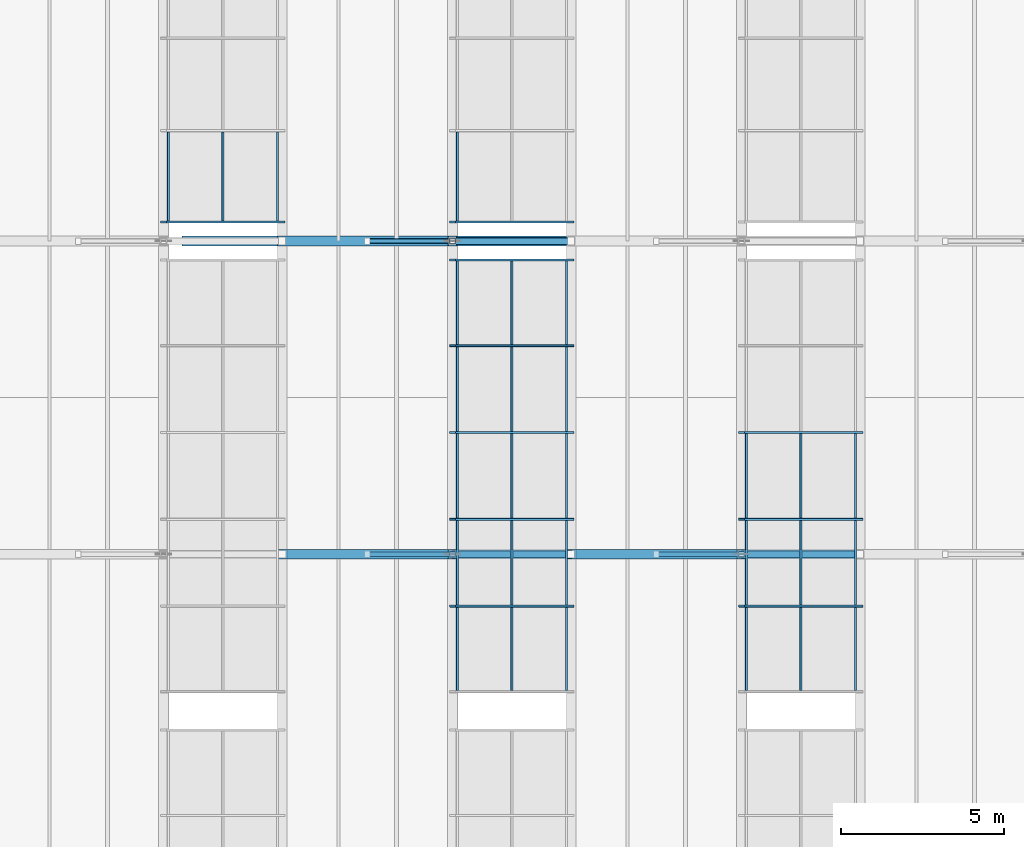
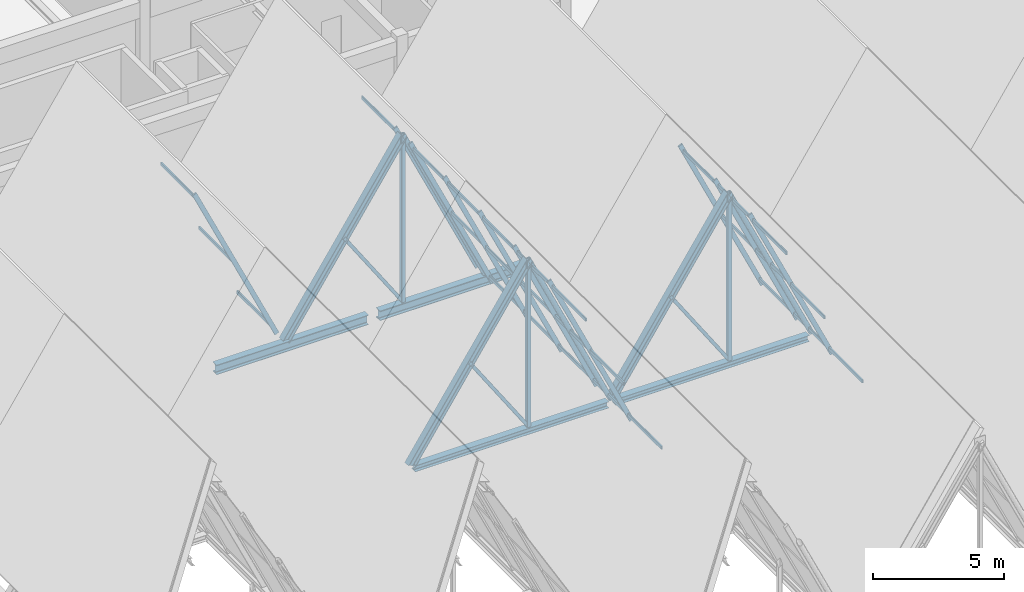
# One storey, part 48 of 99: 52 members, 2 beams, 4 elements without a shape of their own.
"""IFC4 building model written with IfcOpenShell, lengths in metres."""

from ifc_helpers import new_model, si_unit, direction, frame, origin, origin_2d, place, context, subcontext, project, spatial, hollow_rectangle, hollow_circle, i_section, extrude, material, material_profile, profile_set, type_object, element, aggregate, save


model = new_model("IFC4")

# Units and contexts
model_context = context("Model", 3, precision=1e-05, world=origin(), true_north=direction((0.0, 1.0)))
body_context = subcontext(model_context, "Body", "Model", "MODEL_VIEW")
ifc_project = project(units=[si_unit("LENGTHUNIT", "METRE"), si_unit("AREAUNIT", "SQUARE_METRE"), si_unit("VOLUMEUNIT", "CUBIC_METRE"), si_unit("PLANEANGLEUNIT", "RADIAN"), si_unit("MASSUNIT", "GRAM", prefix="KILO")], contexts=[model_context])

# Site, building, storey
site_placement = place(None, origin())
site = spatial("IfcSite", under=ifc_project, at=site_placement, CompositionType="ELEMENT")
building_placement = place(site_placement, origin())
building = spatial("IfcBuilding", under=site, at=building_placement, Name="Bramveld Media Centre", CompositionType="ELEMENT")
storey_placement = place(building_placement, frame((0.0, 0.0, 13.800048828125)))
storey = spatial("IfcBuildingStorey", under=building, at=storey_placement, Name="L03", CompositionType="ELEMENT", Elevation=13.800048828125)

# Curtain wall, member
ifc_material_1 = material(Name="Thermally broken anodized bronze aluminium unitized curtain wall with solar-control triple glazing", Category="aluminium")
curtain_wall_type_1 = type_object("IfcCurtainWallType", Name="CW-SAW-8500x8606", PredefinedType="NOTDEFINED", material=ifc_material_1)
curtain_wall_1_placement = place(storey_placement, origin())
curtain_wall_1 = element("IfcCurtainWall", 1, at=curtain_wall_1_placement, inside=storey, type_object=curtain_wall_type_1, Name="V1 sawtooth north-light clerestory B2-S3", PredefinedType="NOTDEFINED")
ifc_material_2 = material(Name="Thermally broken anodized bronze aluminium EN AW-6063 T6 curtain-wall framing", Category="aluminium")
ifc_material_profile_1 = material_profile(ifc_material_2, hollow_rectangle(XDim=0.070068359375, YDim=0.199951171875, WallThickness=0.00439453125, InnerFilletRadius=0.00439453125, OuterFilletRadius=0.009033203125, at=origin_2d()), Name="AL-MULL 70x200")
ifc_profile_set_1 = profile_set([ifc_material_profile_1], Name="Thermally broken anodized bronze aluminium EN AW-6063 T6 curtain-wall framing")
member_type_1 = type_object("IfcMemberType", Name="CW-MULL-SLP", PredefinedType="MULLION", material=ifc_profile_set_1)
member_1_placement = place(storey_placement, frame((141.71435546875, 29.385009765625, -0.02001953125), z_axis=(-0.423980334249, 0.0, 0.905671395248), x_axis=(0.0, -1.0, 0.0)))
member_1 = element("IfcMember", 2, at=member_1_placement, type_object=member_type_1, Name="CW-SA-8586 sloped mullion 1", PredefinedType="MULLION", context=body_context, shape_type="SweptSolid", body=[
    extrude(hollow_rectangle(XDim=0.070068359375, YDim=0.199951171875, WallThickness=0.00439453125, InnerFilletRadius=0.00439453125, OuterFilletRadius=0.009033203125, at=origin_2d()), origin(), (0.0, 0.0, 1.0), 8.579345703125),
])

# Curtain wall, members
ifc_material_3 = material(Name="Thermally broken anodized bronze aluminium unitized curtain wall with solar-control triple glazing", Category="aluminium")
curtain_wall_type_2 = type_object("IfcCurtainWallType", Name="CW-SAW-13300x8606", PredefinedType="NOTDEFINED", material=ifc_material_3)
curtain_wall_2_placement = place(storey_placement, origin())
curtain_wall_2 = element("IfcCurtainWall", 3, at=curtain_wall_2_placement, inside=storey, type_object=curtain_wall_type_2, Name="V1 sawtooth north-light clerestory B3-S2", PredefinedType="NOTDEFINED")
member_2_placement = place(storey_placement, frame((150.5712890625, 17.610107421875, -0.02001953125), z_axis=(-0.423956992265, 0.0, 0.90568232218), x_axis=(0.0, -1.0, 0.0)))
member_2 = element("IfcMember", 4, at=member_2_placement, type_object=member_type_1, Name="CW-SA-13386 sloped mullion 2", PredefinedType="MULLION", context=body_context, shape_type="SweptSolid", body=[
    extrude(hollow_rectangle(XDim=0.070068359375, YDim=0.199951171875, WallThickness=0.00439453125, InnerFilletRadius=0.00439453125, OuterFilletRadius=0.009033203125, at=origin_2d()), origin(), (0.0, 0.0, 1.0), 8.5791015625),
])
member_3_placement = place(storey_placement, frame((150.5712890625, 20.27001953125, -0.02001953125), z_axis=(-0.423956992265, 0.0, 0.90568232218), x_axis=(0.0, -1.0, 0.0)))
member_3 = element("IfcMember", 5, at=member_3_placement, type_object=member_type_1, Name="CW-SA-13386 sloped mullion 3", PredefinedType="MULLION", context=body_context, shape_type="SweptSolid", body=[
    extrude(hollow_rectangle(XDim=0.070068359375, YDim=0.199951171875, WallThickness=0.00439453125, InnerFilletRadius=0.00439453125, OuterFilletRadius=0.009033203125, at=origin_2d()), origin(), (0.0, 0.0, 1.0), 8.5791015625),
])
member_4_placement = place(storey_placement, frame((150.5712890625, 22.929931640625, -0.02001953125), z_axis=(-0.423956992265, 0.0, 0.90568232218), x_axis=(0.0, -1.0, 0.0)))
member_4 = element("IfcMember", 6, at=member_4_placement, type_object=member_type_1, Name="CW-SA-13386 sloped mullion 4", PredefinedType="MULLION", context=body_context, shape_type="SweptSolid", body=[
    extrude(hollow_rectangle(XDim=0.070068359375, YDim=0.199951171875, WallThickness=0.00439453125, InnerFilletRadius=0.00439453125, OuterFilletRadius=0.009033203125, at=origin_2d()), origin(), (0.0, 0.0, 1.0), 8.5791015625),
])
member_5_placement = place(storey_placement, frame((150.5712890625, 25.590087890625, -0.02001953125), z_axis=(-0.423956992265, 0.0, 0.90568232218), x_axis=(0.0, -1.0, 0.0)))
member_5 = element("IfcMember", 7, at=member_5_placement, type_object=member_type_1, Name="CW-SA-13386 sloped mullion 5", PredefinedType="MULLION", context=body_context, shape_type="SweptSolid", body=[
    extrude(hollow_rectangle(XDim=0.070068359375, YDim=0.199951171875, WallThickness=0.00439453125, InnerFilletRadius=0.00439453125, OuterFilletRadius=0.009033203125, at=origin_2d()), origin(), (0.0, 0.0, 1.0), 8.5791015625),
])
member_6_placement = place(storey_placement, frame((150.5712890625, 28.215087890625, -0.02001953125), z_axis=(-0.423956992265, 0.0, 0.90568232218), x_axis=(0.0, -1.0, 0.0)))
member_6 = element("IfcMember", 8, at=member_6_placement, type_object=member_type_1, Name="CW-SA-13386 sloped mullion 6", PredefinedType="MULLION", context=body_context, shape_type="SweptSolid", body=[
    extrude(hollow_rectangle(XDim=0.070068359375, YDim=0.199951171875, WallThickness=0.00439453125, InnerFilletRadius=0.00439453125, OuterFilletRadius=0.009033203125, at=origin_2d()), origin(), (0.0, 0.0, 1.0), 8.5791015625),
])

# Curtain wall, member
curtain_wall_3_placement = place(storey_placement, origin())
curtain_wall_3 = element("IfcCurtainWall", 9, at=curtain_wall_3_placement, inside=storey, type_object=curtain_wall_type_1, Name="V1 sawtooth north-light clerestory B3-S3", PredefinedType="NOTDEFINED")
member_7_placement = place(storey_placement, frame((150.5712890625, 29.385009765625, -0.02001953125), z_axis=(-0.423956992265, 0.0, 0.90568232218), x_axis=(0.0, -1.0, 0.0)))
member_7 = element("IfcMember", 10, at=member_7_placement, type_object=member_type_1, Name="CW-SA-8586 sloped mullion 1", PredefinedType="MULLION", context=body_context, shape_type="SweptSolid", body=[
    extrude(hollow_rectangle(XDim=0.070068359375, YDim=0.199951171875, WallThickness=0.00439453125, InnerFilletRadius=0.00439453125, OuterFilletRadius=0.009033203125, at=origin_2d()), origin(), (0.0, 0.0, 1.0), 8.5791015625),
])

# Curtain wall, members
curtain_wall_4_placement = place(storey_placement, origin())
curtain_wall_4 = element("IfcCurtainWall", 11, at=curtain_wall_4_placement, inside=storey, type_object=curtain_wall_type_2, Name="V1 sawtooth north-light clerestory B4-S2", PredefinedType="NOTDEFINED")
member_8_placement = place(storey_placement, frame((159.4287109375, 17.610107421875, -0.02001953125), z_axis=(-0.423980334249, 0.0, 0.905671395248), x_axis=(0.0, -1.0, 0.0)))
member_8 = element("IfcMember", 12, at=member_8_placement, type_object=member_type_1, Name="CW-SA-13386 sloped mullion 2", PredefinedType="MULLION", context=body_context, shape_type="SweptSolid", body=[
    extrude(hollow_rectangle(XDim=0.070068359375, YDim=0.199951171875, WallThickness=0.00439453125, InnerFilletRadius=0.00439453125, OuterFilletRadius=0.009033203125, at=origin_2d()), origin(), (0.0, 0.0, 1.0), 8.579345703125),
])
member_9_placement = place(storey_placement, frame((159.4287109375, 20.27001953125, -0.02001953125), z_axis=(-0.423980334249, 0.0, 0.905671395248), x_axis=(0.0, -1.0, 0.0)))
member_9 = element("IfcMember", 13, at=member_9_placement, type_object=member_type_1, Name="CW-SA-13386 sloped mullion 3", PredefinedType="MULLION", context=body_context, shape_type="SweptSolid", body=[
    extrude(hollow_rectangle(XDim=0.070068359375, YDim=0.199951171875, WallThickness=0.00439453125, InnerFilletRadius=0.00439453125, OuterFilletRadius=0.009033203125, at=origin_2d()), origin(), (0.0, 0.0, 1.0), 8.579345703125),
])
member_10_placement = place(storey_placement, frame((159.4287109375, 22.929931640625, -0.02001953125), z_axis=(-0.423980334249, 0.0, 0.905671395248), x_axis=(0.0, -1.0, 0.0)))
member_10 = element("IfcMember", 14, at=member_10_placement, type_object=member_type_1, Name="CW-SA-13386 sloped mullion 4", PredefinedType="MULLION", context=body_context, shape_type="SweptSolid", body=[
    extrude(hollow_rectangle(XDim=0.070068359375, YDim=0.199951171875, WallThickness=0.00439453125, InnerFilletRadius=0.00439453125, OuterFilletRadius=0.009033203125, at=origin_2d()), origin(), (0.0, 0.0, 1.0), 8.579345703125),
])

# Member
ifc_material_4 = material(Name="Thermally broken anodized bronze aluminium EN AW-6063 T6 curtain-wall framing", Category="aluminium")
ifc_material_profile_2 = material_profile(ifc_material_4, hollow_rectangle(XDim=0.070068359375, YDim=0.14990234375, WallThickness=0.00390625, InnerFilletRadius=0.00390625, OuterFilletRadius=0.008056640625, at=origin_2d()), Name="AL-TRAN 70x150")
ifc_profile_set_2 = profile_set([ifc_material_profile_2], Name="Thermally broken anodized bronze aluminium EN AW-6063 T6 curtain-wall framing")
member_type_2 = type_object("IfcMemberType", Name="CW-TRAN-SLP", PredefinedType="USERDEFINED", material=ifc_profile_set_2)
member_11_placement = place(storey_placement, frame((141.56884765625, 29.419921875, 0.290771484375), z_axis=(0.0, 1.0, 0.0), x_axis=(-1.0, 0.0, 0.0)))
member_11 = element("IfcMember", 15, at=member_11_placement, type_object=member_type_2, Name="CW-SA-8586 transom 1.1", ObjectType="TRANSOM", PredefinedType="USERDEFINED", context=body_context, shape_type="SweptSolid", body=[
    extrude(hollow_rectangle(XDim=0.070068359375, YDim=0.14990234375, WallThickness=0.00390625, InnerFilletRadius=0.00390625, OuterFilletRadius=0.008056640625, at=origin_2d()), origin(), (0.0, 0.0, 1.0), 2.728271484375),
])

member_12_placement = place(storey_placement, frame((139.8955078125, 29.419921875, 3.864990234375), z_axis=(0.0, 1.0, 0.0), x_axis=(-1.0, 0.0, 0.0)))
member_12 = element("IfcMember", 16, at=member_12_placement, type_object=member_type_2, Name="CW-SA-8586 transom 1.2", ObjectType="TRANSOM", PredefinedType="USERDEFINED", context=body_context, shape_type="SweptSolid", body=[
    extrude(hollow_rectangle(XDim=0.070068359375, YDim=0.14990234375, WallThickness=0.00390625, InnerFilletRadius=0.00390625, OuterFilletRadius=0.008056640625, at=origin_2d()), origin(), (0.0, 0.0, 1.0), 2.728271484375),
])

member_13_placement = place(storey_placement, frame((138.222412109375, 29.419921875, 7.439208984375), z_axis=(0.0, 1.0, 0.0), x_axis=(-1.0, 0.0, 0.0)))
member_13 = element("IfcMember", 17, at=member_13_placement, type_object=member_type_2, Name="CW-SA-8586 transom 1.3", ObjectType="TRANSOM", PredefinedType="USERDEFINED", context=body_context, shape_type="SweptSolid", body=[
    extrude(hollow_rectangle(XDim=0.070068359375, YDim=0.14990234375, WallThickness=0.00390625, InnerFilletRadius=0.00390625, OuterFilletRadius=0.008056640625, at=origin_2d()), origin(), (0.0, 0.0, 1.0), 2.728271484375),
])

aggregate(curtain_wall_1, [member_1, member_11, member_12, member_13])

member_14_placement = place(storey_placement, frame((150.42578125, 15.02001953125, 0.290771484375), z_axis=(0.0, 1.0, 0.0), x_axis=(-1.0, 0.0, 0.0)))
member_14 = element("IfcMember", 18, at=member_14_placement, type_object=member_type_2, Name="CW-SA-13386 transom 1.1", ObjectType="TRANSOM", PredefinedType="USERDEFINED", context=body_context, shape_type="SweptSolid", body=[
    extrude(hollow_rectangle(XDim=0.070068359375, YDim=0.14990234375, WallThickness=0.00390625, InnerFilletRadius=0.00390625, OuterFilletRadius=0.008056640625, at=origin_2d()), origin(), (0.0, 0.0, 1.0), 2.554931640625),
])

member_15_placement = place(storey_placement, frame((148.752685546875, 15.02001953125, 3.864990234375), z_axis=(0.0, 1.0, 0.0), x_axis=(-1.0, 0.0, 0.0)))
member_15 = element("IfcMember", 19, at=member_15_placement, type_object=member_type_2, Name="CW-SA-13386 transom 1.2", ObjectType="TRANSOM", PredefinedType="USERDEFINED", context=body_context, shape_type="SweptSolid", body=[
    extrude(hollow_rectangle(XDim=0.070068359375, YDim=0.14990234375, WallThickness=0.00390625, InnerFilletRadius=0.00390625, OuterFilletRadius=0.008056640625, at=origin_2d()), origin(), (0.0, 0.0, 1.0), 2.554931640625),
])

member_16_placement = place(storey_placement, frame((147.07958984375, 15.02001953125, 7.439208984375), z_axis=(0.0, 1.0, 0.0), x_axis=(-1.0, 0.0, 0.0)))
member_16 = element("IfcMember", 20, at=member_16_placement, type_object=member_type_2, Name="CW-SA-13386 transom 1.3", ObjectType="TRANSOM", PredefinedType="USERDEFINED", context=body_context, shape_type="SweptSolid", body=[
    extrude(hollow_rectangle(XDim=0.070068359375, YDim=0.14990234375, WallThickness=0.00390625, InnerFilletRadius=0.00390625, OuterFilletRadius=0.008056640625, at=origin_2d()), origin(), (0.0, 0.0, 1.0), 2.554931640625),
])

member_17_placement = place(storey_placement, frame((150.42578125, 17.64501953125, 0.290771484375), z_axis=(0.0, 1.0, 0.0), x_axis=(-1.0, 0.0, 0.0)))
member_17 = element("IfcMember", 21, at=member_17_placement, type_object=member_type_2, Name="CW-SA-13386 transom 2.1", ObjectType="TRANSOM", PredefinedType="USERDEFINED", context=body_context, shape_type="SweptSolid", body=[
    extrude(hollow_rectangle(XDim=0.070068359375, YDim=0.14990234375, WallThickness=0.00390625, InnerFilletRadius=0.00390625, OuterFilletRadius=0.008056640625, at=origin_2d()), origin(), (0.0, 0.0, 1.0), 2.590087890625),
])

member_18_placement = place(storey_placement, frame((148.752685546875, 17.64501953125, 3.864990234375), z_axis=(0.0, 1.0, 0.0), x_axis=(-1.0, 0.0, 0.0)))
member_18 = element("IfcMember", 22, at=member_18_placement, type_object=member_type_2, Name="CW-SA-13386 transom 2.2", ObjectType="TRANSOM", PredefinedType="USERDEFINED", context=body_context, shape_type="SweptSolid", body=[
    extrude(hollow_rectangle(XDim=0.070068359375, YDim=0.14990234375, WallThickness=0.00390625, InnerFilletRadius=0.00390625, OuterFilletRadius=0.008056640625, at=origin_2d()), origin(), (0.0, 0.0, 1.0), 2.590087890625),
])

member_19_placement = place(storey_placement, frame((147.07958984375, 17.64501953125, 7.439208984375), z_axis=(0.0, 1.0, 0.0), x_axis=(-1.0, 0.0, 0.0)))
member_19 = element("IfcMember", 23, at=member_19_placement, type_object=member_type_2, Name="CW-SA-13386 transom 2.3", ObjectType="TRANSOM", PredefinedType="USERDEFINED", context=body_context, shape_type="SweptSolid", body=[
    extrude(hollow_rectangle(XDim=0.070068359375, YDim=0.14990234375, WallThickness=0.00390625, InnerFilletRadius=0.00390625, OuterFilletRadius=0.008056640625, at=origin_2d()), origin(), (0.0, 0.0, 1.0), 2.590087890625),
])

member_20_placement = place(storey_placement, frame((150.42578125, 20.304931640625, 0.290771484375), z_axis=(0.0, 1.0, 0.0), x_axis=(-1.0, 0.0, 0.0)))
member_20 = element("IfcMember", 24, at=member_20_placement, type_object=member_type_2, Name="CW-SA-13386 transom 3.1", ObjectType="TRANSOM", PredefinedType="USERDEFINED", context=body_context, shape_type="SweptSolid", body=[
    extrude(hollow_rectangle(XDim=0.070068359375, YDim=0.14990234375, WallThickness=0.00390625, InnerFilletRadius=0.00390625, OuterFilletRadius=0.008056640625, at=origin_2d()), origin(), (0.0, 0.0, 1.0), 2.590087890625),
])

member_21_placement = place(storey_placement, frame((148.752685546875, 20.304931640625, 3.864990234375), z_axis=(0.0, 1.0, 0.0), x_axis=(-1.0, 0.0, 0.0)))
member_21 = element("IfcMember", 25, at=member_21_placement, type_object=member_type_2, Name="CW-SA-13386 transom 3.2", ObjectType="TRANSOM", PredefinedType="USERDEFINED", context=body_context, shape_type="SweptSolid", body=[
    extrude(hollow_rectangle(XDim=0.070068359375, YDim=0.14990234375, WallThickness=0.00390625, InnerFilletRadius=0.00390625, OuterFilletRadius=0.008056640625, at=origin_2d()), origin(), (0.0, 0.0, 1.0), 2.590087890625),
])

member_22_placement = place(storey_placement, frame((147.07958984375, 20.304931640625, 7.439208984375), z_axis=(0.0, 1.0, 0.0), x_axis=(-1.0, 0.0, 0.0)))
member_22 = element("IfcMember", 26, at=member_22_placement, type_object=member_type_2, Name="CW-SA-13386 transom 3.3", ObjectType="TRANSOM", PredefinedType="USERDEFINED", context=body_context, shape_type="SweptSolid", body=[
    extrude(hollow_rectangle(XDim=0.070068359375, YDim=0.14990234375, WallThickness=0.00390625, InnerFilletRadius=0.00390625, OuterFilletRadius=0.008056640625, at=origin_2d()), origin(), (0.0, 0.0, 1.0), 2.590087890625),
])

member_23_placement = place(storey_placement, frame((150.42578125, 22.965087890625, 0.290771484375), z_axis=(0.0, 1.0, 0.0), x_axis=(-1.0, 0.0, 0.0)))
member_23 = element("IfcMember", 27, at=member_23_placement, type_object=member_type_2, Name="CW-SA-13386 transom 4.1", ObjectType="TRANSOM", PredefinedType="USERDEFINED", context=body_context, shape_type="SweptSolid", body=[
    extrude(hollow_rectangle(XDim=0.070068359375, YDim=0.14990234375, WallThickness=0.00390625, InnerFilletRadius=0.00390625, OuterFilletRadius=0.008056640625, at=origin_2d()), origin(), (0.0, 0.0, 1.0), 2.58984375),
])

member_24_placement = place(storey_placement, frame((148.752685546875, 22.965087890625, 3.864990234375), z_axis=(0.0, 1.0, 0.0), x_axis=(-1.0, 0.0, 0.0)))
member_24 = element("IfcMember", 28, at=member_24_placement, type_object=member_type_2, Name="CW-SA-13386 transom 4.2", ObjectType="TRANSOM", PredefinedType="USERDEFINED", context=body_context, shape_type="SweptSolid", body=[
    extrude(hollow_rectangle(XDim=0.070068359375, YDim=0.14990234375, WallThickness=0.00390625, InnerFilletRadius=0.00390625, OuterFilletRadius=0.008056640625, at=origin_2d()), origin(), (0.0, 0.0, 1.0), 2.58984375),
])

member_25_placement = place(storey_placement, frame((147.07958984375, 22.965087890625, 7.439208984375), z_axis=(0.0, 1.0, 0.0), x_axis=(-1.0, 0.0, 0.0)))
member_25 = element("IfcMember", 29, at=member_25_placement, type_object=member_type_2, Name="CW-SA-13386 transom 4.3", ObjectType="TRANSOM", PredefinedType="USERDEFINED", context=body_context, shape_type="SweptSolid", body=[
    extrude(hollow_rectangle(XDim=0.070068359375, YDim=0.14990234375, WallThickness=0.00390625, InnerFilletRadius=0.00390625, OuterFilletRadius=0.008056640625, at=origin_2d()), origin(), (0.0, 0.0, 1.0), 2.58984375),
])

member_26_placement = place(storey_placement, frame((150.42578125, 25.625, 0.290771484375), z_axis=(0.0, 1.0, 0.0), x_axis=(-1.0, 0.0, 0.0)))
member_26 = element("IfcMember", 30, at=member_26_placement, type_object=member_type_2, Name="CW-SA-13386 transom 5.1", ObjectType="TRANSOM", PredefinedType="USERDEFINED", context=body_context, shape_type="SweptSolid", body=[
    extrude(hollow_rectangle(XDim=0.070068359375, YDim=0.14990234375, WallThickness=0.00390625, InnerFilletRadius=0.00390625, OuterFilletRadius=0.008056640625, at=origin_2d()), origin(), (0.0, 0.0, 1.0), 2.554931640625),
])

member_27_placement = place(storey_placement, frame((148.752685546875, 25.625, 3.864990234375), z_axis=(0.0, 1.0, 0.0), x_axis=(-1.0, 0.0, 0.0)))
member_27 = element("IfcMember", 31, at=member_27_placement, type_object=member_type_2, Name="CW-SA-13386 transom 5.2", ObjectType="TRANSOM", PredefinedType="USERDEFINED", context=body_context, shape_type="SweptSolid", body=[
    extrude(hollow_rectangle(XDim=0.070068359375, YDim=0.14990234375, WallThickness=0.00390625, InnerFilletRadius=0.00390625, OuterFilletRadius=0.008056640625, at=origin_2d()), origin(), (0.0, 0.0, 1.0), 2.554931640625),
])

member_28_placement = place(storey_placement, frame((147.07958984375, 25.625, 7.439208984375), z_axis=(0.0, 1.0, 0.0), x_axis=(-1.0, 0.0, 0.0)))
member_28 = element("IfcMember", 32, at=member_28_placement, type_object=member_type_2, Name="CW-SA-13386 transom 5.3", ObjectType="TRANSOM", PredefinedType="USERDEFINED", context=body_context, shape_type="SweptSolid", body=[
    extrude(hollow_rectangle(XDim=0.070068359375, YDim=0.14990234375, WallThickness=0.00390625, InnerFilletRadius=0.00390625, OuterFilletRadius=0.008056640625, at=origin_2d()), origin(), (0.0, 0.0, 1.0), 2.554931640625),
])

aggregate(curtain_wall_2, [member_2, member_3, member_4, member_5, member_6, member_14, member_15, member_16, member_17, member_18, member_19, member_20, member_21, member_22, member_23, member_24, member_25, member_26, member_27, member_28])

member_29_placement = place(storey_placement, frame((147.07958984375, 29.419921875, 7.439208984375), z_axis=(0.0, 1.0, 0.0), x_axis=(-1.0, 0.0, 0.0)))
member_29 = element("IfcMember", 33, at=member_29_placement, type_object=member_type_2, Name="CW-SA-8586 transom 1.3", ObjectType="TRANSOM", PredefinedType="USERDEFINED", context=body_context, shape_type="SweptSolid", body=[
    extrude(hollow_rectangle(XDim=0.070068359375, YDim=0.14990234375, WallThickness=0.00390625, InnerFilletRadius=0.00390625, OuterFilletRadius=0.008056640625, at=origin_2d()), origin(), (0.0, 0.0, 1.0), 2.728271484375),
])

aggregate(curtain_wall_3, [member_7, member_29])

member_30_placement = place(storey_placement, frame((159.283203125, 15.02001953125, 0.290771484375), z_axis=(0.0, 1.0, 0.0), x_axis=(-1.0, 0.0, 0.0)))
member_30 = element("IfcMember", 34, at=member_30_placement, type_object=member_type_2, Name="CW-SA-13386 transom 1.1", ObjectType="TRANSOM", PredefinedType="USERDEFINED", context=body_context, shape_type="SweptSolid", body=[
    extrude(hollow_rectangle(XDim=0.070068359375, YDim=0.14990234375, WallThickness=0.00390625, InnerFilletRadius=0.00390625, OuterFilletRadius=0.008056640625, at=origin_2d()), origin(), (0.0, 0.0, 1.0), 2.554931640625),
])

member_31_placement = place(storey_placement, frame((157.60986328125, 15.02001953125, 3.864990234375), z_axis=(0.0, 1.0, 0.0), x_axis=(-1.0, 0.0, 0.0)))
member_31 = element("IfcMember", 35, at=member_31_placement, type_object=member_type_2, Name="CW-SA-13386 transom 1.2", ObjectType="TRANSOM", PredefinedType="USERDEFINED", context=body_context, shape_type="SweptSolid", body=[
    extrude(hollow_rectangle(XDim=0.070068359375, YDim=0.14990234375, WallThickness=0.00390625, InnerFilletRadius=0.00390625, OuterFilletRadius=0.008056640625, at=origin_2d()), origin(), (0.0, 0.0, 1.0), 2.554931640625),
])

member_32_placement = place(storey_placement, frame((155.936767578125, 15.02001953125, 7.439208984375), z_axis=(0.0, 1.0, 0.0), x_axis=(-1.0, 0.0, 0.0)))
member_32 = element("IfcMember", 36, at=member_32_placement, type_object=member_type_2, Name="CW-SA-13386 transom 1.3", ObjectType="TRANSOM", PredefinedType="USERDEFINED", context=body_context, shape_type="SweptSolid", body=[
    extrude(hollow_rectangle(XDim=0.070068359375, YDim=0.14990234375, WallThickness=0.00390625, InnerFilletRadius=0.00390625, OuterFilletRadius=0.008056640625, at=origin_2d()), origin(), (0.0, 0.0, 1.0), 2.554931640625),
])

member_33_placement = place(storey_placement, frame((159.283203125, 17.64501953125, 0.290771484375), z_axis=(0.0, 1.0, 0.0), x_axis=(-1.0, 0.0, 0.0)))
member_33 = element("IfcMember", 37, at=member_33_placement, type_object=member_type_2, Name="CW-SA-13386 transom 2.1", ObjectType="TRANSOM", PredefinedType="USERDEFINED", context=body_context, shape_type="SweptSolid", body=[
    extrude(hollow_rectangle(XDim=0.070068359375, YDim=0.14990234375, WallThickness=0.00390625, InnerFilletRadius=0.00390625, OuterFilletRadius=0.008056640625, at=origin_2d()), origin(), (0.0, 0.0, 1.0), 2.590087890625),
])

member_34_placement = place(storey_placement, frame((157.60986328125, 17.64501953125, 3.864990234375), z_axis=(0.0, 1.0, 0.0), x_axis=(-1.0, 0.0, 0.0)))
member_34 = element("IfcMember", 38, at=member_34_placement, type_object=member_type_2, Name="CW-SA-13386 transom 2.2", ObjectType="TRANSOM", PredefinedType="USERDEFINED", context=body_context, shape_type="SweptSolid", body=[
    extrude(hollow_rectangle(XDim=0.070068359375, YDim=0.14990234375, WallThickness=0.00390625, InnerFilletRadius=0.00390625, OuterFilletRadius=0.008056640625, at=origin_2d()), origin(), (0.0, 0.0, 1.0), 2.590087890625),
])

member_35_placement = place(storey_placement, frame((155.936767578125, 17.64501953125, 7.439208984375), z_axis=(0.0, 1.0, 0.0), x_axis=(-1.0, 0.0, 0.0)))
member_35 = element("IfcMember", 39, at=member_35_placement, type_object=member_type_2, Name="CW-SA-13386 transom 2.3", ObjectType="TRANSOM", PredefinedType="USERDEFINED", context=body_context, shape_type="SweptSolid", body=[
    extrude(hollow_rectangle(XDim=0.070068359375, YDim=0.14990234375, WallThickness=0.00390625, InnerFilletRadius=0.00390625, OuterFilletRadius=0.008056640625, at=origin_2d()), origin(), (0.0, 0.0, 1.0), 2.590087890625),
])

member_36_placement = place(storey_placement, frame((159.283203125, 20.304931640625, 0.290771484375), z_axis=(0.0, 1.0, 0.0), x_axis=(-1.0, 0.0, 0.0)))
member_36 = element("IfcMember", 40, at=member_36_placement, type_object=member_type_2, Name="CW-SA-13386 transom 3.1", ObjectType="TRANSOM", PredefinedType="USERDEFINED", context=body_context, shape_type="SweptSolid", body=[
    extrude(hollow_rectangle(XDim=0.070068359375, YDim=0.14990234375, WallThickness=0.00390625, InnerFilletRadius=0.00390625, OuterFilletRadius=0.008056640625, at=origin_2d()), origin(), (0.0, 0.0, 1.0), 2.590087890625),
])

member_37_placement = place(storey_placement, frame((157.60986328125, 20.304931640625, 3.864990234375), z_axis=(0.0, 1.0, 0.0), x_axis=(-1.0, 0.0, 0.0)))
member_37 = element("IfcMember", 41, at=member_37_placement, type_object=member_type_2, Name="CW-SA-13386 transom 3.2", ObjectType="TRANSOM", PredefinedType="USERDEFINED", context=body_context, shape_type="SweptSolid", body=[
    extrude(hollow_rectangle(XDim=0.070068359375, YDim=0.14990234375, WallThickness=0.00390625, InnerFilletRadius=0.00390625, OuterFilletRadius=0.008056640625, at=origin_2d()), origin(), (0.0, 0.0, 1.0), 2.590087890625),
])

member_38_placement = place(storey_placement, frame((155.936767578125, 20.304931640625, 7.439208984375), z_axis=(0.0, 1.0, 0.0), x_axis=(-1.0, 0.0, 0.0)))
member_38 = element("IfcMember", 42, at=member_38_placement, type_object=member_type_2, Name="CW-SA-13386 transom 3.3", ObjectType="TRANSOM", PredefinedType="USERDEFINED", context=body_context, shape_type="SweptSolid", body=[
    extrude(hollow_rectangle(XDim=0.070068359375, YDim=0.14990234375, WallThickness=0.00390625, InnerFilletRadius=0.00390625, OuterFilletRadius=0.008056640625, at=origin_2d()), origin(), (0.0, 0.0, 1.0), 2.590087890625),
])

aggregate(curtain_wall_4, [member_8, member_9, member_10, member_30, member_31, member_32, member_33, member_34, member_35, member_36, member_37, member_38])

# Members
ifc_material_5 = material(Name="Steel S355J2H", Category="steel")
ifc_material_profile_3 = material_profile(ifc_material_5, hollow_circle(Radius=0.109619140625, WallThickness=0.012451171875, at=origin_2d()), Name="CHS 219.1x12.5")
ifc_profile_set_3 = profile_set([ifc_material_profile_3], Name="Steel S355J2H")
member_type_3 = type_object("IfcMemberType", Name="MEM-BRACE-CHS219", PredefinedType="BRACE", material=ifc_profile_set_3)
for number, where, z_axis, x_axis, name in (
    (43, (150.5712890625, 19.199951171875, 0.0), (-0.422616785161, 0.0, 0.906308475575), (0.0, -1.0, 0.0), "TRUSS-V1-B03-F3 north-light strut"),
    (44, (150.5712890625, 28.800048828125, 0.0), (-0.422616785161, 0.0, 0.906308475575), (0.0, -1.0, 0.0), "TRUSS-V1-B03-F4 north-light strut"),
    (45, (159.4287109375, 19.199951171875, 0.0), (-0.422640085544, 0.0, 0.90629761011), (0.0, -1.0, 0.0), "TRUSS-V1-B04-F3 north-light strut"),
):
    element("IfcMember", number, at=place(storey_placement, frame(where, z_axis=z_axis, x_axis=x_axis)), inside=storey, type_object=member_type_3, Name=name, PredefinedType="BRACE", context=body_context, shape_type="SweptSolid", body=[
        extrude(hollow_circle(Radius=0.109619140625, WallThickness=0.012451171875, at=origin_2d()), origin(), (0.0, 0.0, 1.0), 8.6064453125),
    ])
ifc_material_6 = material(Name="Steel S355J2H", Category="steel")
ifc_material_profile_4 = material_profile(ifc_material_6, hollow_rectangle(XDim=0.14990234375, YDim=0.14990234375, WallThickness=0.010009765625, InnerFilletRadius=0.010009765625, OuterFilletRadius=0.02001953125, at=origin_2d()), Name="SHS 150x150x10")
ifc_profile_set_4 = profile_set([ifc_material_profile_4], Name="Steel S355J2H")
member_type_4 = type_object("IfcMemberType", Name="MEM-BRACE-SHS150", PredefinedType="BRACE", material=ifc_profile_set_4)
for number, where, z_axis, x_axis, name in (
    (46, (146.93408203125, 19.199951171875, 0.0), (-0.55616408489, 0.0, 0.83107250627), (0.0, -1.0, 0.0), "TRUSS-V1-B03-F3 web diagonal"),
    (47, (146.93408203125, 28.800048828125, 0.0), (-0.55616408489, 0.0, 0.83107250627), (0.0, -1.0, 0.0), "TRUSS-V1-B03-F4 web diagonal"),
    (48, (155.791259765625, 19.199951171875, 0.0), (-0.55616408489, 0.0, 0.83107250627), (0.0, -1.0, 0.0), "TRUSS-V1-B04-F3 web diagonal"),
):
    element("IfcMember", number, at=place(storey_placement, frame(where, z_axis=z_axis, x_axis=x_axis)), inside=storey, type_object=member_type_4, Name=name, PredefinedType="BRACE", context=body_context, shape_type="SweptSolid", body=[
        extrude(hollow_rectangle(XDim=0.14990234375, YDim=0.14990234375, WallThickness=0.010009765625, InnerFilletRadius=0.010009765625, OuterFilletRadius=0.02001953125, at=origin_2d()), origin(), (0.0, 0.0, 1.0), 4.692626953125),
    ])
ifc_material_7 = material(Name="Steel S355J2", Category="steel")
ifc_material_profile_5 = material_profile(ifc_material_7, i_section(OverallWidth=0.300048828125, OverallDepth=0.2900390625, WebThickness=0.008544921875, FlangeThickness=0.013916015625, FilletRadius=0.027099609375, at=origin_2d()), Name="HEA 300")
ifc_profile_set_5 = profile_set([ifc_material_profile_5], Name="Steel S355J2")
member_type_5 = type_object("IfcMemberType", Name="MEM-CHORD-HEA300", PredefinedType="CHORD", material=ifc_profile_set_5)
for number, where, z_axis, x_axis, name in (
    (49, (141.874267578125, 19.199951171875, -0.14501953125), (1.0, 0.0, 0.0), (0.0, 1.0, 0.0), "TRUSS-V1-B03-F3 bottom tie chord"),
    (50, (150.7314453125, 19.199951171875, -0.14501953125), (1.0, 0.0, 0.0), (0.0, 1.0, 0.0), "TRUSS-V1-B04-F3 bottom tie chord"),
):
    element("IfcMember", number, at=place(storey_placement, frame(where, z_axis=z_axis, x_axis=x_axis)), inside=storey, type_object=member_type_5, Name=name, PredefinedType="CHORD", context=body_context, shape_type="SweptSolid", body=[
        extrude(i_section(OverallWidth=0.300048828125, OverallDepth=0.2900390625, WebThickness=0.008544921875, FlangeThickness=0.013916015625, FilletRadius=0.027099609375, at=origin_2d()), origin(), (0.0, 0.0, 1.0), 8.537109375),
    ])
ifc_material_8 = material(Name="Steel S355J2", Category="steel")
ifc_material_profile_6 = material_profile(ifc_material_8, i_section(OverallWidth=0.300048828125, OverallDepth=0.340087890625, WebThickness=0.011962890625, FlangeThickness=0.021484375, FilletRadius=0.027099609375, at=origin_2d()), Name="HEB 340")
ifc_profile_set_6 = profile_set([ifc_material_profile_6], Name="Steel S355J2")
member_type_6 = type_object("IfcMemberType", Name="MEM-CHORD-HEB340", PredefinedType="CHORD", material=ifc_profile_set_6)
for number, where, z_axis, x_axis, name in (
    (51, (141.71435546875, 19.199951171875, 0.0), (0.55615206142, 0.0, 0.8310805524), (0.0, 1.0, 0.0), "TRUSS-V1-B03-F3 top rafter chord"),
    (52, (141.71435546875, 28.800048828125, 0.0), (0.55615206142, 0.0, 0.8310805524), (0.0, 1.0, 0.0), "TRUSS-V1-B03-F4 top rafter chord"),
    (53, (150.5712890625, 19.199951171875, 0.0), (0.556170027887, 0.0, 0.831068529112), (0.0, 1.0, 0.0), "TRUSS-V1-B04-F3 top rafter chord"),
):
    element("IfcMember", number, at=place(storey_placement, frame(where, z_axis=z_axis, x_axis=x_axis)), inside=storey, type_object=member_type_6, Name=name, PredefinedType="CHORD", context=body_context, shape_type="SweptSolid", body=[
        extrude(i_section(OverallWidth=0.300048828125, OverallDepth=0.340087890625, WebThickness=0.011962890625, FlangeThickness=0.021484375, FilletRadius=0.027099609375, at=origin_2d()), origin(), (0.0, 0.0, 1.0), 9.385498046875),
    ])
ifc_material_9 = material(Name="Steel S355J2H", Category="steel")
ifc_material_profile_7 = material_profile(ifc_material_9, hollow_rectangle(XDim=0.179931640625, YDim=0.179931640625, WallThickness=0.010009765625, InnerFilletRadius=0.010009765625, OuterFilletRadius=0.02001953125, at=origin_2d()), Name="SHS 180x180x10")
ifc_profile_set_7 = profile_set([ifc_material_profile_7], Name="Steel S355J2H")
member_type_7 = type_object("IfcMemberType", Name="MEM-POST-SHS180", PredefinedType="POST", material=ifc_profile_set_7)
for number, where, z_axis, x_axis, name in (
    (54, (146.93408203125, 19.199951171875, 0.0), (0.0, 0.0, 1.0), (1.0, 0.0, 0.0), "TRUSS-V1-B03-F3 kingpost"),
    (55, (146.93408203125, 28.800048828125, 0.0), (0.0, 0.0, 1.0), (1.0, 0.0, 0.0), "TRUSS-V1-B03-F4 kingpost"),
    (56, (155.791259765625, 19.199951171875, 0.0), (0.0, 0.0, 1.0), (1.0, 0.0, 0.0), "TRUSS-V1-B04-F3 kingpost"),
):
    element("IfcMember", number, at=place(storey_placement, frame(where, z_axis=z_axis, x_axis=x_axis)), inside=storey, type_object=member_type_7, Name=name, PredefinedType="POST", context=body_context, shape_type="SweptSolid", body=[
        extrude(hollow_rectangle(XDim=0.179931640625, YDim=0.179931640625, WallThickness=0.010009765625, InnerFilletRadius=0.010009765625, OuterFilletRadius=0.02001953125, at=origin_2d()), origin(), (0.0, 0.0, 1.0), 7.800048828125),
    ])

# Beams
ifc_material_10 = material(Name="Steel S355J2", Category="steel")
ifc_material_profile_8 = material_profile(ifc_material_10, i_section(OverallWidth=0.300048828125, OverallDepth=0.449951171875, WebThickness=0.013916015625, FlangeThickness=0.02587890625, FilletRadius=0.027099609375, at=origin_2d()), Name="HEB 450")
ifc_profile_set_8 = profile_set([ifc_material_profile_8], Name="Steel S355J2")
beam_type = type_object("IfcBeamType", Name="SBM-INT-HEB-450", PredefinedType="BEAM", material=ifc_profile_set_8)
beam_1_placement = place(storey_placement, frame((138.64990234375, 28.800048828125, -0.22509765625), z_axis=(1.0, 0.0, 0.0), x_axis=(0.0, 1.0, 0.0)))
element("IfcBeam", 57, at=beam_1_placement, inside=storey, type_object=beam_type, Name="V1 sawtooth tie girder", PredefinedType="BEAM", context=body_context, shape_type="SweptSolid", body=[
    extrude(i_section(OverallWidth=0.300048828125, OverallDepth=0.449951171875, WebThickness=0.013916015625, FlangeThickness=0.02587890625, FilletRadius=0.027099609375, at=origin_2d()), origin(), (0.0, 0.0, 1.0), 6.7001953125),
])
beam_2_placement = place(storey_placement, frame((145.85009765625, 28.800048828125, -0.22509765625), z_axis=(1.0, 0.0, 0.0), x_axis=(0.0, 1.0, 0.0)))
element("IfcBeam", 58, at=beam_2_placement, inside=storey, type_object=beam_type, Name="V1 sawtooth tie girder", PredefinedType="BEAM", context=body_context, shape_type="SweptSolid", body=[
    extrude(i_section(OverallWidth=0.300048828125, OverallDepth=0.449951171875, WebThickness=0.013916015625, FlangeThickness=0.02587890625, FilletRadius=0.027099609375, at=origin_2d()), origin(), (0.0, 0.0, 1.0), 6.699951171875),
])

save(model, "model.ifc")
